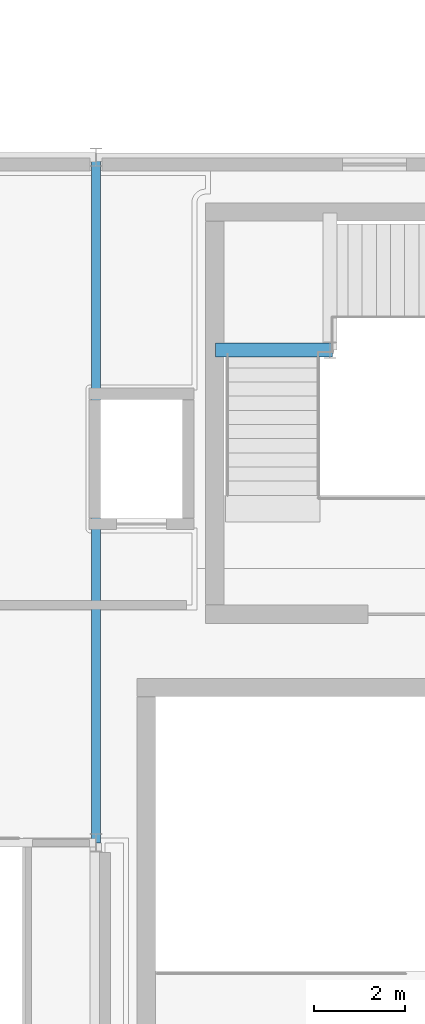
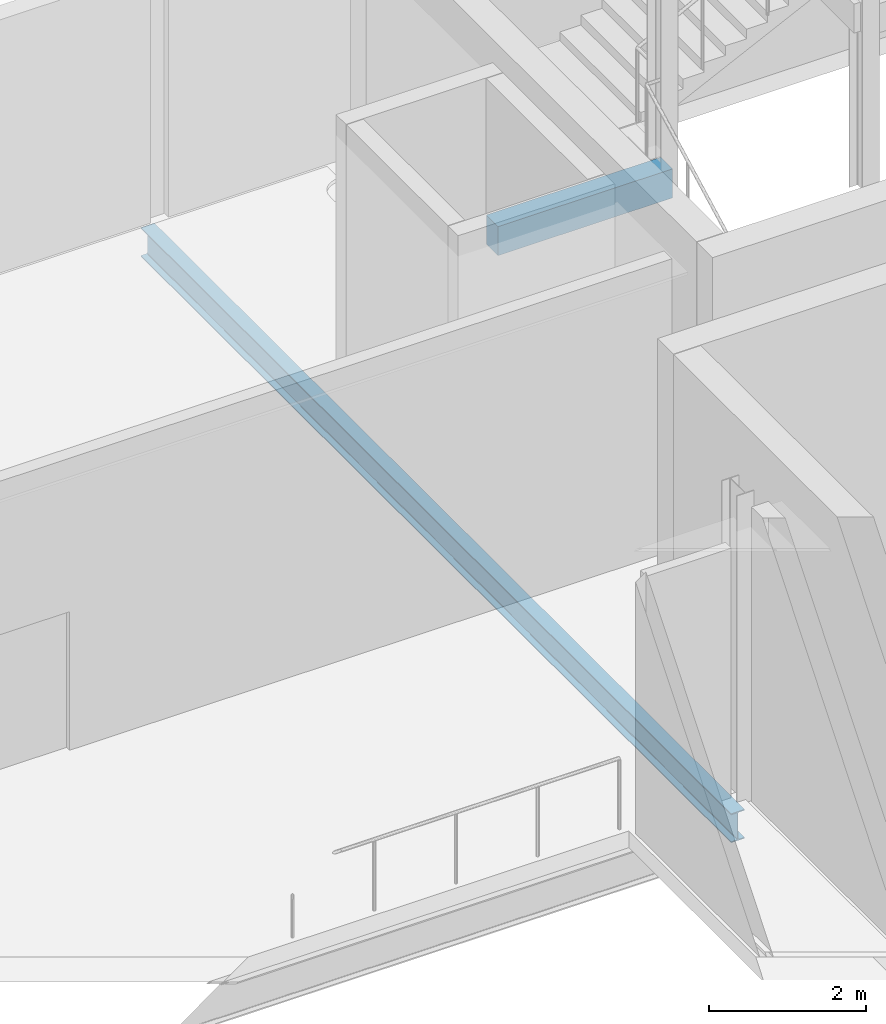
# One storey, part 57 of 102: 2 beams.
"""IFC4 building model written with IfcOpenShell, lengths in metres."""

from ifc_helpers import new_model, si_unit, derived_unit, direction, frame, origin, origin_2d, place, context, subcontext, project, spatial, rectangle, i_section, extrude, material, material_profile, profile_set, type_object, element, save


model = new_model("IFC4")

# Units and contexts
model_context = context("Model", 3, precision=1e-05, world=origin(), true_north=direction((0.0, 1.0)))
body_context = subcontext(model_context, "Body", "Model", "MODEL_VIEW")
ifc_project = project(units=[si_unit("LENGTHUNIT", "METRE"), si_unit("AREAUNIT", "SQUARE_METRE"), si_unit("VOLUMEUNIT", "CUBIC_METRE"), si_unit("PLANEANGLEUNIT", "RADIAN"), si_unit("MASSUNIT", "GRAM", prefix="KILO"), derived_unit("THERMALTRANSMITTANCEUNIT", [(si_unit("POWERUNIT", "WATT"), 1), (si_unit("LENGTHUNIT", "METRE"), -2), (si_unit("THERMODYNAMICTEMPERATUREUNIT", "KELVIN"), -1)])], contexts=[model_context])

# Site, building, storey
site_placement = place(None, origin())
site = spatial("IfcSite", under=ifc_project, at=site_placement, CompositionType="ELEMENT")
building_placement = place(site_placement, origin())
building = spatial("IfcBuilding", under=site, at=building_placement, Name="Nallur Shell Playhouse", CompositionType="ELEMENT")
storey_placement = place(building_placement, frame((0.0, 0.0, 15.0)))
storey = spatial("IfcBuildingStorey", under=building, at=storey_placement, Name="L04", CompositionType="ELEMENT", Elevation=15.0)

# Beams
ifc_material_1 = material(Name="Concrete M35", Category="concrete")
ifc_material_profile_1 = material_profile(ifc_material_1, rectangle(XDim=0.300048828125, YDim=0.449951171875, at=origin_2d()), Name="RC 300x450")
ifc_profile_set_1 = profile_set([ifc_material_profile_1], Name="Concrete M35")
beam_type_1 = type_object("IfcBeamType", Name="BM-SPN-300x450", PredefinedType="SPANDREL", material=ifc_profile_set_1)
beam_1_placement = place(storey_placement, frame((150.219970703125, 51.780029296875, 1.22509765625), z_axis=(1.0, 0.0, 0.0), x_axis=(0.0, 1.0, 0.0)))
element("IfcBeam", 1, at=beam_1_placement, inside=storey, type_object=beam_type_1, Name="Stair ST-05-L04 L1 south bearer beam", PredefinedType="SPANDREL", context=body_context, shape_type="SweptSolid", body=[
    extrude(rectangle(XDim=0.300048828125, YDim=0.449951171875, at=origin_2d()), origin(), (0.0, 0.0, 1.0), 2.56005859375),
])
ifc_material_2 = material(Name="Steel E350", Category="steel")
ifc_material_profile_2 = material_profile(ifc_material_2, i_section(OverallWidth=0.199951171875, OverallDepth=0.449951171875, WebThickness=0.00927734375, FlangeThickness=0.015380859375, FilletRadius=0.013916015625, at=origin_2d()), Name="ISWB 450")
ifc_profile_set_2 = profile_set([ifc_material_profile_2], Name="Steel E350")
beam_type_2 = type_object("IfcBeamType", Name="BM-ST-ISWB450", PredefinedType="BEAM", material=ifc_profile_set_2)
beam_2_placement = place(storey_placement, frame((147.60009765625, 41.0, -0.485107421875), z_axis=(0.0, 1.0, 0.0), x_axis=(-1.0, 0.0, 0.0)))
element("IfcBeam", 2, at=beam_2_placement, inside=storey, type_object=beam_type_2, Name="L04 girder Y-18-868", PredefinedType="BEAM", context=body_context, shape_type="SweptSolid", body=[
    extrude(i_section(OverallWidth=0.199951171875, OverallDepth=0.449951171875, WebThickness=0.00927734375, FlangeThickness=0.015380859375, FilletRadius=0.013916015625, at=origin_2d()), origin(), (0.0, 0.0, 1.0), 15.0),
])

save(model, "model.ifc")
